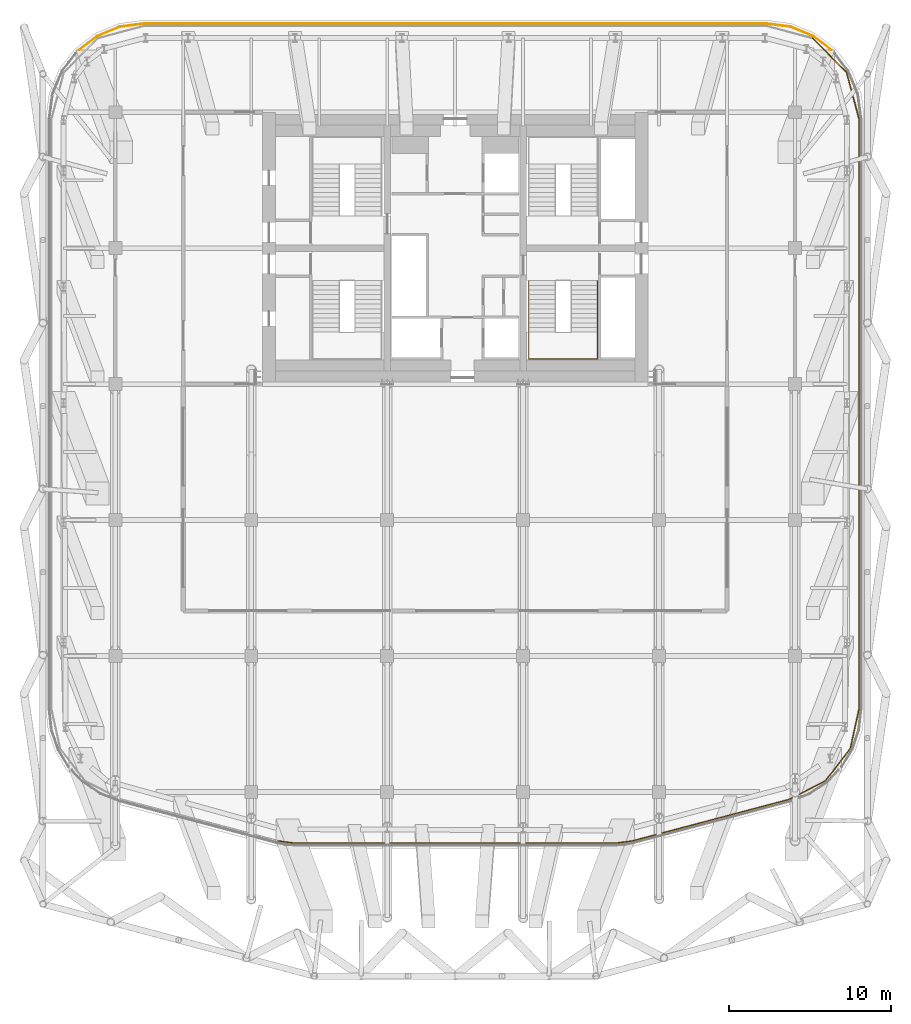
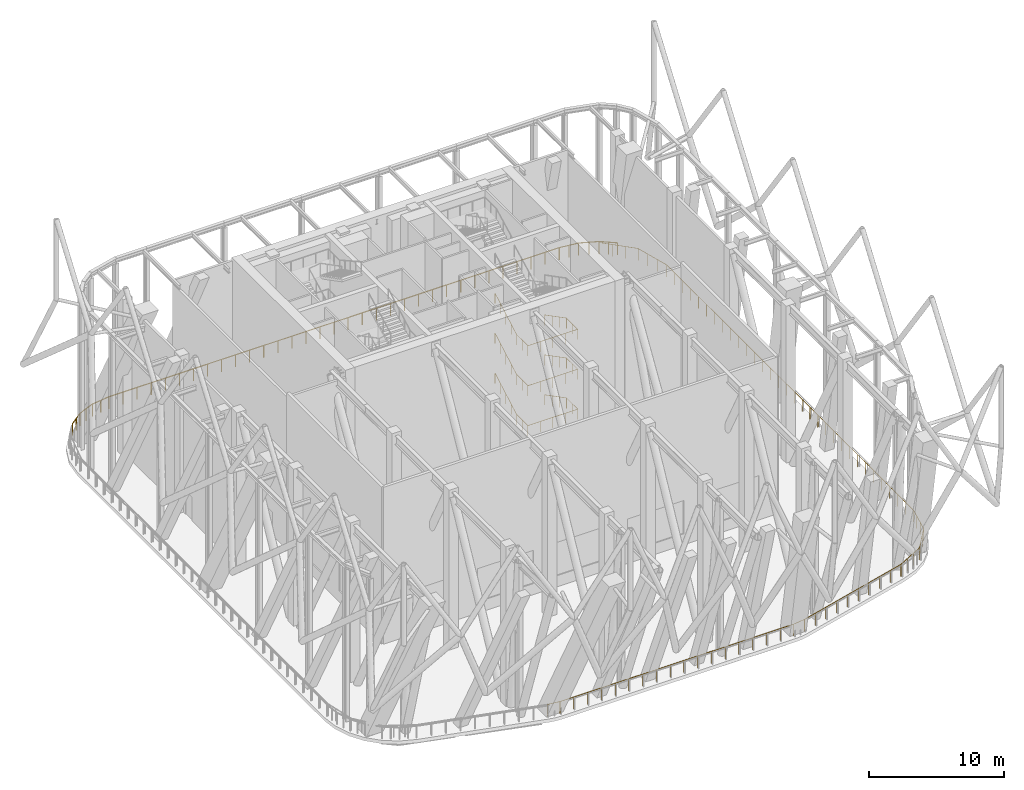
# One storey, part 18 of 20: 5 railings.
"""IFC4 building model written with IfcOpenShell, lengths in metres."""

from ifc_helpers import new_model, si_unit, direction, frame, origin, origin_2d, place, context, subcontext, project, spatial, circle, extrude, material, type_object, element, save


model = new_model("IFC4")

# Units and contexts
model_context = context("Model", 3, precision=1e-05, world=origin(), true_north=direction((0.0, 1.0)))
body_context = subcontext(model_context, "Body", "Model", "MODEL_VIEW")
ifc_project = project(units=[si_unit("LENGTHUNIT", "METRE"), si_unit("AREAUNIT", "SQUARE_METRE"), si_unit("VOLUMEUNIT", "CUBIC_METRE"), si_unit("PLANEANGLEUNIT", "RADIAN"), si_unit("MASSUNIT", "GRAM", prefix="KILO")], contexts=[model_context])

# Site, building, storey
site_placement = place(None, origin())
site = spatial("IfcSite", under=ifc_project, at=site_placement, CompositionType="ELEMENT")
building_placement = place(site_placement, origin())
building = spatial("IfcBuilding", under=site, at=building_placement, Name="Marenta Gate Hotel Tower", CompositionType="ELEMENT")
storey_placement = place(building_placement, frame((0.0, 0.0, 252.5)))
storey = spatial("IfcBuildingStorey", under=building, at=storey_placement, Name="L60", CompositionType="ELEMENT", Elevation=252.5)

# Railings
ifc_material_1 = material(Name="Stainless steel", Category="steel")
railing_type_1 = type_object("IfcRailingType", Name="Core stair handrail 950", PredefinedType="HANDRAIL", material=ifc_material_1)
railing_1_placement = place(storey_placement, frame((8.800048828125, 6.39990234375, 0.14990234375)))
element("IfcRailing", 1, at=railing_1_placement, inside=storey, type_object=railing_type_1, Name="HR-950 L60-KR-ST3-1", PredefinedType="HANDRAIL", context=body_context, shape_type="SweptSolid", body=[
    extrude(circle(Radius=0.02392578125, at=origin_2d()), frame((0.0, 0.0, 0.92578125), z_axis=(0.0, -0.888197555067, 0.459461753765), x_axis=(1.0, 0.0, 0.0)), (0.0, 0.0, 1.0), 3.591552734375),
    extrude(circle(Radius=0.02392578125, at=origin_2d()), frame((0.0, -3.18994140625, 2.576171875), z_axis=(0.0, -1.0, 0.0), x_axis=(1.0, 0.0, 0.0)), (0.0, 0.0, 1.0), 1.659912109375),
    extrude(circle(Radius=0.02392578125, at=origin_2d()), frame((0.0, -4.849853515625, 2.576171875), z_axis=(-1.0, 0.0, 0.0), x_axis=(0.0, -1.0, 0.0)), (0.0, 0.0, 1.0), 4.25),
    extrude(circle(Radius=0.02392578125, at=origin_2d()), frame((-4.25, -4.849853515625, 2.576171875), z_axis=(0.0, 1.0, 0.0), x_axis=(-1.0, 0.0, 0.0)), (0.0, 0.0, 1.0), 1.659912109375),
    extrude(circle(Radius=0.02392578125, at=origin_2d()), frame((-4.25, -3.18994140625, 2.576171875), z_axis=(0.0, 0.87090897868, 0.491444351738), x_axis=(-1.0, 0.0, 0.0)), (0.0, 0.0, 1.0), 3.662841796875),
    extrude(circle(Radius=0.02099609375, at=origin_2d()), origin(), (0.0, 0.0, 1.0), 0.90185546875),
    extrude(circle(Radius=0.02099609375, at=origin_2d()), frame((0.0, -1.063232421875, 0.550048828125)), (0.0, 0.0, 1.0), 0.90185546875),
    extrude(circle(Radius=0.02099609375, at=origin_2d()), frame((0.0, -2.126708984375, 1.10009765625)), (0.0, 0.0, 1.0), 0.90185546875),
    extrude(circle(Radius=0.02099609375, at=origin_2d()), frame((0.0, -3.18994140625, 1.650146484375)), (0.0, 0.0, 1.0), 0.90185546875),
    extrude(circle(Radius=0.02099609375, at=origin_2d()), frame((0.0, -4.02001953125, 1.650146484375)), (0.0, 0.0, 1.0), 0.90185546875),
    extrude(circle(Radius=0.02099609375, at=origin_2d()), frame((0.0, -4.849853515625, 1.650146484375)), (0.0, 0.0, 1.0), 0.90185546875),
    extrude(circle(Radius=0.02099609375, at=origin_2d()), frame((-1.0625, -4.849853515625, 1.650146484375)), (0.0, 0.0, 1.0), 0.90185546875),
    extrude(circle(Radius=0.02099609375, at=origin_2d()), frame((-2.125, -4.849853515625, 1.650146484375)), (0.0, 0.0, 1.0), 0.90185546875),
    extrude(circle(Radius=0.02099609375, at=origin_2d()), frame((-3.1875, -4.849853515625, 1.650146484375)), (0.0, 0.0, 1.0), 0.90185546875),
    extrude(circle(Radius=0.02099609375, at=origin_2d()), frame((-4.25, -4.849853515625, 1.650146484375)), (0.0, 0.0, 1.0), 0.90185546875),
    extrude(circle(Radius=0.02099609375, at=origin_2d()), frame((-4.25, -4.02001953125, 1.650146484375)), (0.0, 0.0, 1.0), 0.90185546875),
    extrude(circle(Radius=0.02099609375, at=origin_2d()), frame((-4.25, -3.18994140625, 1.650146484375)), (0.0, 0.0, 1.0), 0.90185546875),
    extrude(circle(Radius=0.02099609375, at=origin_2d()), frame((-4.25, -2.392578125, 2.10009765625)), (0.0, 0.0, 1.0), 0.90185546875),
    extrude(circle(Radius=0.02099609375, at=origin_2d()), frame((-4.25, -1.594970703125, 2.55029296875)), (0.0, 0.0, 1.0), 0.90185546875),
    extrude(circle(Radius=0.02099609375, at=origin_2d()), frame((-4.25, -0.79736328125, 3.000244140625)), (0.0, 0.0, 1.0), 0.90185546875),
    extrude(circle(Radius=0.02099609375, at=origin_2d()), frame((-4.25, 0.0, 3.4501953125)), (0.0, 0.0, 1.0), 0.90185546875),
])
railing_2_placement = place(storey_placement, frame((8.800048828125, 6.39990234375, 3.75)))
element("IfcRailing", 2, at=railing_2_placement, inside=storey, type_object=railing_type_1, Name="HR-950 L60-KR-ST3-3", PredefinedType="HANDRAIL", context=body_context, shape_type="SweptSolid", body=[
    extrude(circle(Radius=0.02392578125, at=origin_2d()), frame((0.0, 0.0, 0.92578125), z_axis=(0.0, -0.888225295554, 0.459408123936), x_axis=(1.0, 0.0, 0.0)), (0.0, 0.0, 1.0), 3.59130859375),
    extrude(circle(Radius=0.02392578125, at=origin_2d()), frame((0.0, -3.18994140625, 2.57568359375), z_axis=(0.0, -1.0, 0.0), x_axis=(1.0, 0.0, 0.0)), (0.0, 0.0, 1.0), 1.659912109375),
    extrude(circle(Radius=0.02392578125, at=origin_2d()), frame((0.0, -4.849853515625, 2.57568359375), z_axis=(-1.0, 0.0, 0.0), x_axis=(0.0, -1.0, 0.0)), (0.0, 0.0, 1.0), 4.25),
    extrude(circle(Radius=0.02392578125, at=origin_2d()), frame((-4.25, -4.849853515625, 2.57568359375), z_axis=(0.0, 1.0, 0.0), x_axis=(-1.0, 0.0, 0.0)), (0.0, 0.0, 1.0), 1.659912109375),
    extrude(circle(Radius=0.02392578125, at=origin_2d()), frame((-4.25, -3.18994140625, 2.57568359375), z_axis=(0.0, 0.87090897868, 0.491444351738), x_axis=(-1.0, 0.0, 0.0)), (0.0, 0.0, 1.0), 3.662841796875),
    extrude(circle(Radius=0.02099609375, at=origin_2d()), origin(), (0.0, 0.0, 1.0), 0.90185546875),
    extrude(circle(Radius=0.02099609375, at=origin_2d()), frame((0.0, -1.063232421875, 0.550048828125)), (0.0, 0.0, 1.0), 0.90185546875),
    extrude(circle(Radius=0.02099609375, at=origin_2d()), frame((0.0, -2.126708984375, 1.099853515625)), (0.0, 0.0, 1.0), 0.90185546875),
    extrude(circle(Radius=0.02099609375, at=origin_2d()), frame((0.0, -3.18994140625, 1.64990234375)), (0.0, 0.0, 1.0), 0.90185546875),
    extrude(circle(Radius=0.02099609375, at=origin_2d()), frame((0.0, -4.02001953125, 1.64990234375)), (0.0, 0.0, 1.0), 0.90185546875),
    extrude(circle(Radius=0.02099609375, at=origin_2d()), frame((0.0, -4.849853515625, 1.64990234375)), (0.0, 0.0, 1.0), 0.90185546875),
    extrude(circle(Radius=0.02099609375, at=origin_2d()), frame((-1.0625, -4.849853515625, 1.64990234375)), (0.0, 0.0, 1.0), 0.90185546875),
    extrude(circle(Radius=0.02099609375, at=origin_2d()), frame((-2.125, -4.849853515625, 1.64990234375)), (0.0, 0.0, 1.0), 0.90185546875),
    extrude(circle(Radius=0.02099609375, at=origin_2d()), frame((-3.1875, -4.849853515625, 1.64990234375)), (0.0, 0.0, 1.0), 0.90185546875),
    extrude(circle(Radius=0.02099609375, at=origin_2d()), frame((-4.25, -4.849853515625, 1.64990234375)), (0.0, 0.0, 1.0), 0.90185546875),
    extrude(circle(Radius=0.02099609375, at=origin_2d()), frame((-4.25, -4.02001953125, 1.64990234375)), (0.0, 0.0, 1.0), 0.90185546875),
    extrude(circle(Radius=0.02099609375, at=origin_2d()), frame((-4.25, -3.18994140625, 1.64990234375)), (0.0, 0.0, 1.0), 0.90185546875),
    extrude(circle(Radius=0.02099609375, at=origin_2d()), frame((-4.25, -2.392578125, 2.099853515625)), (0.0, 0.0, 1.0), 0.90185546875),
    extrude(circle(Radius=0.02099609375, at=origin_2d()), frame((-4.25, -1.594970703125, 2.5498046875)), (0.0, 0.0, 1.0), 0.90185546875),
    extrude(circle(Radius=0.02099609375, at=origin_2d()), frame((-4.25, -0.79736328125, 3.0)), (0.0, 0.0, 1.0), 0.90185546875),
    extrude(circle(Radius=0.02099609375, at=origin_2d()), frame((-4.25, 0.0, 3.449951171875)), (0.0, 0.0, 1.0), 0.90185546875),
])
railing_3_placement = place(storey_placement, frame((8.800048828125, 6.39990234375, 7.35009765625)))
element("IfcRailing", 3, at=railing_3_placement, inside=storey, type_object=railing_type_1, Name="HR-950 L60-KR-ST3-5", PredefinedType="HANDRAIL", context=body_context, shape_type="SweptSolid", body=[
    extrude(circle(Radius=0.02392578125, at=origin_2d()), frame((0.0, 0.0, 0.92578125), z_axis=(0.0, -0.888225295554, 0.459408123936), x_axis=(1.0, 0.0, 0.0)), (0.0, 0.0, 1.0), 3.59130859375),
    extrude(circle(Radius=0.02392578125, at=origin_2d()), frame((0.0, -3.18994140625, 2.57568359375), z_axis=(0.0, -1.0, 0.0), x_axis=(1.0, 0.0, 0.0)), (0.0, 0.0, 1.0), 1.659912109375),
    extrude(circle(Radius=0.02392578125, at=origin_2d()), frame((0.0, -4.849853515625, 2.57568359375), z_axis=(-1.0, 0.0, 0.0), x_axis=(0.0, -1.0, 0.0)), (0.0, 0.0, 1.0), 4.25),
    extrude(circle(Radius=0.02392578125, at=origin_2d()), frame((-4.25, -4.849853515625, 2.57568359375), z_axis=(0.0, 1.0, 0.0), x_axis=(-1.0, 0.0, 0.0)), (0.0, 0.0, 1.0), 1.659912109375),
    extrude(circle(Radius=0.02392578125, at=origin_2d()), frame((-4.25, -3.18994140625, 2.57568359375), z_axis=(0.0, 0.87090897868, 0.491444351738), x_axis=(-1.0, 0.0, 0.0)), (0.0, 0.0, 1.0), 3.662841796875),
    extrude(circle(Radius=0.02099609375, at=origin_2d()), origin(), (0.0, 0.0, 1.0), 0.90185546875),
    extrude(circle(Radius=0.02099609375, at=origin_2d()), frame((0.0, -1.063232421875, 0.550048828125)), (0.0, 0.0, 1.0), 0.90185546875),
    extrude(circle(Radius=0.02099609375, at=origin_2d()), frame((0.0, -2.126708984375, 1.099853515625)), (0.0, 0.0, 1.0), 0.90185546875),
    extrude(circle(Radius=0.02099609375, at=origin_2d()), frame((0.0, -3.18994140625, 1.64990234375)), (0.0, 0.0, 1.0), 0.90185546875),
    extrude(circle(Radius=0.02099609375, at=origin_2d()), frame((0.0, -4.02001953125, 1.64990234375)), (0.0, 0.0, 1.0), 0.90185546875),
    extrude(circle(Radius=0.02099609375, at=origin_2d()), frame((0.0, -4.849853515625, 1.64990234375)), (0.0, 0.0, 1.0), 0.90185546875),
    extrude(circle(Radius=0.02099609375, at=origin_2d()), frame((-1.0625, -4.849853515625, 1.64990234375)), (0.0, 0.0, 1.0), 0.90185546875),
    extrude(circle(Radius=0.02099609375, at=origin_2d()), frame((-2.125, -4.849853515625, 1.64990234375)), (0.0, 0.0, 1.0), 0.90185546875),
    extrude(circle(Radius=0.02099609375, at=origin_2d()), frame((-3.1875, -4.849853515625, 1.64990234375)), (0.0, 0.0, 1.0), 0.90185546875),
    extrude(circle(Radius=0.02099609375, at=origin_2d()), frame((-4.25, -4.849853515625, 1.64990234375)), (0.0, 0.0, 1.0), 0.90185546875),
    extrude(circle(Radius=0.02099609375, at=origin_2d()), frame((-4.25, -4.02001953125, 1.64990234375)), (0.0, 0.0, 1.0), 0.90185546875),
    extrude(circle(Radius=0.02099609375, at=origin_2d()), frame((-4.25, -3.18994140625, 1.64990234375)), (0.0, 0.0, 1.0), 0.90185546875),
    extrude(circle(Radius=0.02099609375, at=origin_2d()), frame((-4.25, -2.392578125, 2.099853515625)), (0.0, 0.0, 1.0), 0.90185546875),
    extrude(circle(Radius=0.02099609375, at=origin_2d()), frame((-4.25, -1.594970703125, 2.5498046875)), (0.0, 0.0, 1.0), 0.90185546875),
    extrude(circle(Radius=0.02099609375, at=origin_2d()), frame((-4.25, -0.79736328125, 3.0)), (0.0, 0.0, 1.0), 0.90185546875),
    extrude(circle(Radius=0.02099609375, at=origin_2d()), frame((-4.25, 0.0, 3.449951171875)), (0.0, 0.0, 1.0), 0.90185546875),
])
ifc_material_2 = material(Name="Stainless steel", Category="steel")
railing_type_2 = type_object("IfcRailingType", Name="Guard 1100 stainless balustrade", PredefinedType="GUARDRAIL", material=ifc_material_2)
railing_4_placement = place(storey_placement, frame((-23.228759765625, 20.655517578125, 0.0)))
element("IfcRailing", 4, at=railing_4_placement, inside=storey, type_object=railing_type_2, Name="Guard", PredefinedType="GUARDRAIL", context=body_context, shape_type="SweptSolid", body=[
    extrude(circle(Radius=0.02392578125, at=origin_2d()), frame((0.0, 0.0, 1.076171875), z_axis=(0.793337284051, 0.608782353337, 0.0), x_axis=(-0.608782353337, 0.793337284051, 0.0)), (0.0, 0.0, 1.0), 1.373046875),
    extrude(circle(Radius=0.02392578125, at=origin_2d()), frame((1.08935546875, 0.8359375, 1.076171875), z_axis=(0.923898552901, 0.382637509855, 0.0), x_axis=(-0.382637509855, 0.923898552901, 0.0)), (0.0, 0.0, 1.0), 1.534423828125),
    extrude(circle(Radius=0.02392578125, at=origin_2d()), frame((2.507080078125, 1.423095703125, 1.076171875), z_axis=(0.991440824405, 0.130556852376, 0.0), x_axis=(-0.130556852376, 0.991440824405, 0.0)), (0.0, 0.0, 1.0), 1.542724609375),
    extrude(circle(Radius=0.02392578125, at=origin_2d()), frame((4.03662109375, 1.62451171875, 1.076171875), z_axis=(1.0, 0.0, 0.0), x_axis=(0.0, 1.0, 0.0)), (0.0, 0.0, 1.0), 38.38427734375),
    extrude(circle(Radius=0.02392578125, at=origin_2d()), frame((42.4208984375, 1.62451171875, 1.076171875), z_axis=(0.991440824405, -0.130556852376, 0.0), x_axis=(0.130556852376, 0.991440824405, 0.0)), (0.0, 0.0, 1.0), 1.542724609375),
    extrude(circle(Radius=0.02392578125, at=origin_2d()), frame((43.950439453125, 1.423095703125, 1.076171875), z_axis=(0.923898552901, -0.382637509855, 0.0), x_axis=(0.382637509855, 0.923898552901, 0.0)), (0.0, 0.0, 1.0), 1.534423828125),
    extrude(circle(Radius=0.02392578125, at=origin_2d()), frame((45.3681640625, 0.8359375, 1.076171875), z_axis=(0.793337284051, -0.608782353337, 0.0), x_axis=(0.608782353337, 0.793337284051, 0.0)), (0.0, 0.0, 1.0), 1.373046875),
    extrude(circle(Radius=0.02099609375, at=origin_2d()), origin(), (0.0, 0.0, 1.0), 1.052001953125),
    extrude(circle(Radius=0.02099609375, at=origin_2d()), frame((0.544677734375, 0.41796875, 0.0)), (0.0, 0.0, 1.0), 1.052001953125),
    extrude(circle(Radius=0.02099609375, at=origin_2d()), frame((1.08935546875, 0.8359375, 0.0)), (0.0, 0.0, 1.0), 1.052001953125),
    extrude(circle(Radius=0.02099609375, at=origin_2d()), frame((1.79833984375, 1.12939453125, 0.0)), (0.0, 0.0, 1.0), 1.052001953125),
    extrude(circle(Radius=0.02099609375, at=origin_2d()), frame((2.507080078125, 1.423095703125, 0.0)), (0.0, 0.0, 1.0), 1.052001953125),
    extrude(circle(Radius=0.02099609375, at=origin_2d()), frame((3.27197265625, 1.52392578125, 0.0)), (0.0, 0.0, 1.0), 1.052001953125),
    extrude(circle(Radius=0.02099609375, at=origin_2d()), frame((4.03662109375, 1.62451171875, 0.0)), (0.0, 0.0, 1.0), 1.052001953125),
    extrude(circle(Radius=0.02099609375, at=origin_2d()), frame((5.236083984375, 1.62451171875, 0.0)), (0.0, 0.0, 1.0), 1.052001953125),
    extrude(circle(Radius=0.02099609375, at=origin_2d()), frame((6.435546875, 1.62451171875, 0.0)), (0.0, 0.0, 1.0), 1.052001953125),
    extrude(circle(Radius=0.02099609375, at=origin_2d()), frame((7.63525390625, 1.62451171875, 0.0)), (0.0, 0.0, 1.0), 1.052001953125),
    extrude(circle(Radius=0.02099609375, at=origin_2d()), frame((8.834716796875, 1.62451171875, 0.0)), (0.0, 0.0, 1.0), 1.052001953125),
    extrude(circle(Radius=0.02099609375, at=origin_2d()), frame((10.0341796875, 1.62451171875, 0.0)), (0.0, 0.0, 1.0), 1.052001953125),
    extrude(circle(Radius=0.02099609375, at=origin_2d()), frame((11.233642578125, 1.62451171875, 0.0)), (0.0, 0.0, 1.0), 1.052001953125),
    extrude(circle(Radius=0.02099609375, at=origin_2d()), frame((12.43310546875, 1.62451171875, 0.0)), (0.0, 0.0, 1.0), 1.052001953125),
    extrude(circle(Radius=0.02099609375, at=origin_2d()), frame((13.6328125, 1.62451171875, 0.0)), (0.0, 0.0, 1.0), 1.052001953125),
    extrude(circle(Radius=0.02099609375, at=origin_2d()), frame((14.832275390625, 1.62451171875, 0.0)), (0.0, 0.0, 1.0), 1.052001953125),
    extrude(circle(Radius=0.02099609375, at=origin_2d()), frame((16.03173828125, 1.62451171875, 0.0)), (0.0, 0.0, 1.0), 1.052001953125),
    extrude(circle(Radius=0.02099609375, at=origin_2d()), frame((17.231201171875, 1.62451171875, 0.0)), (0.0, 0.0, 1.0), 1.052001953125),
    extrude(circle(Radius=0.02099609375, at=origin_2d()), frame((18.4306640625, 1.62451171875, 0.0)), (0.0, 0.0, 1.0), 1.052001953125),
    extrude(circle(Radius=0.02099609375, at=origin_2d()), frame((19.630126953125, 1.62451171875, 0.0)), (0.0, 0.0, 1.0), 1.052001953125),
    extrude(circle(Radius=0.02099609375, at=origin_2d()), frame((20.829833984375, 1.62451171875, 0.0)), (0.0, 0.0, 1.0), 1.052001953125),
    extrude(circle(Radius=0.02099609375, at=origin_2d()), frame((22.029296875, 1.62451171875, 0.0)), (0.0, 0.0, 1.0), 1.052001953125),
    extrude(circle(Radius=0.02099609375, at=origin_2d()), frame((23.228759765625, 1.62451171875, 0.0)), (0.0, 0.0, 1.0), 1.052001953125),
    extrude(circle(Radius=0.02099609375, at=origin_2d()), frame((24.42822265625, 1.62451171875, 0.0)), (0.0, 0.0, 1.0), 1.052001953125),
    extrude(circle(Radius=0.02099609375, at=origin_2d()), frame((25.627685546875, 1.62451171875, 0.0)), (0.0, 0.0, 1.0), 1.052001953125),
    extrude(circle(Radius=0.02099609375, at=origin_2d()), frame((26.827392578125, 1.62451171875, 0.0)), (0.0, 0.0, 1.0), 1.052001953125),
    extrude(circle(Radius=0.02099609375, at=origin_2d()), frame((28.02685546875, 1.62451171875, 0.0)), (0.0, 0.0, 1.0), 1.052001953125),
    extrude(circle(Radius=0.02099609375, at=origin_2d()), frame((29.226318359375, 1.62451171875, 0.0)), (0.0, 0.0, 1.0), 1.052001953125),
    extrude(circle(Radius=0.02099609375, at=origin_2d()), frame((30.42578125, 1.62451171875, 0.0)), (0.0, 0.0, 1.0), 1.052001953125),
    extrude(circle(Radius=0.02099609375, at=origin_2d()), frame((31.625244140625, 1.62451171875, 0.0)), (0.0, 0.0, 1.0), 1.052001953125),
    extrude(circle(Radius=0.02099609375, at=origin_2d()), frame((32.82470703125, 1.62451171875, 0.0)), (0.0, 0.0, 1.0), 1.052001953125),
    extrude(circle(Radius=0.02099609375, at=origin_2d()), frame((34.0244140625, 1.62451171875, 0.0)), (0.0, 0.0, 1.0), 1.052001953125),
    extrude(circle(Radius=0.02099609375, at=origin_2d()), frame((35.223876953125, 1.62451171875, 0.0)), (0.0, 0.0, 1.0), 1.052001953125),
    extrude(circle(Radius=0.02099609375, at=origin_2d()), frame((36.42333984375, 1.62451171875, 0.0)), (0.0, 0.0, 1.0), 1.052001953125),
    extrude(circle(Radius=0.02099609375, at=origin_2d()), frame((37.622802734375, 1.62451171875, 0.0)), (0.0, 0.0, 1.0), 1.052001953125),
    extrude(circle(Radius=0.02099609375, at=origin_2d()), frame((38.822265625, 1.62451171875, 0.0)), (0.0, 0.0, 1.0), 1.052001953125),
    extrude(circle(Radius=0.02099609375, at=origin_2d()), frame((40.02197265625, 1.62451171875, 0.0)), (0.0, 0.0, 1.0), 1.052001953125),
    extrude(circle(Radius=0.02099609375, at=origin_2d()), frame((41.221435546875, 1.62451171875, 0.0)), (0.0, 0.0, 1.0), 1.052001953125),
    extrude(circle(Radius=0.02099609375, at=origin_2d()), frame((42.4208984375, 1.62451171875, 0.0)), (0.0, 0.0, 1.0), 1.052001953125),
    extrude(circle(Radius=0.02099609375, at=origin_2d()), frame((43.185546875, 1.52392578125, 0.0)), (0.0, 0.0, 1.0), 1.052001953125),
    extrude(circle(Radius=0.02099609375, at=origin_2d()), frame((43.950439453125, 1.423095703125, 0.0)), (0.0, 0.0, 1.0), 1.052001953125),
    extrude(circle(Radius=0.02099609375, at=origin_2d()), frame((44.6591796875, 1.12939453125, 0.0)), (0.0, 0.0, 1.0), 1.052001953125),
    extrude(circle(Radius=0.02099609375, at=origin_2d()), frame((45.3681640625, 0.8359375, 0.0)), (0.0, 0.0, 1.0), 1.052001953125),
    extrude(circle(Radius=0.02099609375, at=origin_2d()), frame((45.912841796875, 0.41796875, 0.0)), (0.0, 0.0, 1.0), 1.052001953125),
    extrude(circle(Radius=0.02099609375, at=origin_2d()), frame((46.45751953125, 0.0, 0.0)), (0.0, 0.0, 1.0), 1.052001953125),
])
railing_5_placement = place(storey_placement, frame((-10.94775390625, -28.222412109375, 0.0)))
element("IfcRailing", 5, at=railing_5_placement, inside=storey, type_object=railing_type_2, Name="Guard", PredefinedType="GUARDRAIL", context=body_context, shape_type="SweptSolid", body=[
    extrude(circle(Radius=0.02392578125, at=origin_2d()), frame((0.0, 0.0, 1.076171875), z_axis=(0.991576919061, -0.129519163004, 0.0), x_axis=(0.129519163004, 0.991576919061, 0.0)), (0.0, 0.0, 1.0), 0.98583984375),
    extrude(circle(Radius=0.02392578125, at=origin_2d()), frame((0.9775390625, -0.127685546875, 1.076171875), z_axis=(1.0, 0.0, 0.0), x_axis=(0.0, 1.0, 0.0)), (0.0, 0.0, 1.0), 19.9404296875),
    extrude(circle(Radius=0.02392578125, at=origin_2d()), frame((20.91796875, -0.127685546875, 1.076171875), z_axis=(0.991576919061, 0.129519163004, 0.0), x_axis=(-0.129519163004, 0.991576919061, 0.0)), (0.0, 0.0, 1.0), 0.98583984375),
    extrude(circle(Radius=0.02392578125, at=origin_2d()), frame((21.8955078125, 0.0, 1.076171875), z_axis=(0.966565981595, 0.256418024373, 0.0), x_axis=(-0.256418024373, 0.966565981595, 0.0)), (0.0, 0.0, 1.0), 10.049560546875),
    extrude(circle(Radius=0.02392578125, at=origin_2d()), frame((31.609130859375, 2.576904296875, 1.076171875), z_axis=(0.888227236115, 0.459404372012, 0.0), x_axis=(-0.459404372012, 0.888227236115, 0.0)), (0.0, 0.0, 1.0), 2.5068359375),
    extrude(circle(Radius=0.02392578125, at=origin_2d()), frame((33.835693359375, 3.728515625, 1.076171875), z_axis=(0.609701295622, 0.792631269959, 0.0), x_axis=(-0.792631269959, 0.609701295622, 0.0)), (0.0, 0.0, 1.0), 2.4931640625),
    extrude(circle(Radius=0.02392578125, at=origin_2d()), frame((35.355712890625, 5.70458984375, 1.076171875), z_axis=(0.216229118215, 0.976342649092, 0.0), x_axis=(-0.976342649092, 0.216229118215, 0.0)), (0.0, 0.0, 1.0), 2.506591796875),
    extrude(circle(Radius=0.02392578125, at=origin_2d()), frame((35.897705078125, 8.15185546875, 1.076171875), z_axis=(0.0, 1.0, 0.0), x_axis=(-1.0, 0.0, 0.0)), (0.0, 0.0, 1.0), 36.4541015625),
    extrude(circle(Radius=0.02392578125, at=origin_2d()), frame((35.897705078125, 44.60595703125, 1.076171875), z_axis=(-0.258114663239, 0.966114289627, 0.0), x_axis=(-0.966114289627, -0.258114663239, 0.0)), (0.0, 0.0, 1.0), 2.99169921875),
    extrude(circle(Radius=0.02392578125, at=origin_2d()), frame((35.12548828125, 47.496337890625, 1.076171875), z_axis=(-0.707106781187, 0.707106781187, 0.0), x_axis=(-0.707106781187, -0.707106781187, 0.0)), (0.0, 0.0, 1.0), 2.97509765625),
    extrude(circle(Radius=0.02099609375, at=origin_2d()), origin(), (0.0, 0.0, 1.0), 1.052001953125),
    extrude(circle(Radius=0.02099609375, at=origin_2d()), frame((0.9775390625, -0.127685546875, 0.0)), (0.0, 0.0, 1.0), 1.052001953125),
    extrude(circle(Radius=0.02099609375, at=origin_2d()), frame((2.150390625, -0.127685546875, 0.0)), (0.0, 0.0, 1.0), 1.052001953125),
    extrude(circle(Radius=0.02099609375, at=origin_2d()), frame((3.323486328125, -0.127685546875, 0.0)), (0.0, 0.0, 1.0), 1.052001953125),
    extrude(circle(Radius=0.02099609375, at=origin_2d()), frame((4.496337890625, -0.127685546875, 0.0)), (0.0, 0.0, 1.0), 1.052001953125),
    extrude(circle(Radius=0.02099609375, at=origin_2d()), frame((5.66943359375, -0.127685546875, 0.0)), (0.0, 0.0, 1.0), 1.052001953125),
    extrude(circle(Radius=0.02099609375, at=origin_2d()), frame((6.84228515625, -0.127685546875, 0.0)), (0.0, 0.0, 1.0), 1.052001953125),
    extrude(circle(Radius=0.02099609375, at=origin_2d()), frame((8.015380859375, -0.127685546875, 0.0)), (0.0, 0.0, 1.0), 1.052001953125),
    extrude(circle(Radius=0.02099609375, at=origin_2d()), frame((9.188232421875, -0.127685546875, 0.0)), (0.0, 0.0, 1.0), 1.052001953125),
    extrude(circle(Radius=0.02099609375, at=origin_2d()), frame((10.361328125, -0.127685546875, 0.0)), (0.0, 0.0, 1.0), 1.052001953125),
    extrude(circle(Radius=0.02099609375, at=origin_2d()), frame((11.5341796875, -0.127685546875, 0.0)), (0.0, 0.0, 1.0), 1.052001953125),
    extrude(circle(Radius=0.02099609375, at=origin_2d()), frame((12.707275390625, -0.127685546875, 0.0)), (0.0, 0.0, 1.0), 1.052001953125),
    extrude(circle(Radius=0.02099609375, at=origin_2d()), frame((13.880126953125, -0.127685546875, 0.0)), (0.0, 0.0, 1.0), 1.052001953125),
    extrude(circle(Radius=0.02099609375, at=origin_2d()), frame((15.05322265625, -0.127685546875, 0.0)), (0.0, 0.0, 1.0), 1.052001953125),
    extrude(circle(Radius=0.02099609375, at=origin_2d()), frame((16.22607421875, -0.127685546875, 0.0)), (0.0, 0.0, 1.0), 1.052001953125),
    extrude(circle(Radius=0.02099609375, at=origin_2d()), frame((17.399169921875, -0.127685546875, 0.0)), (0.0, 0.0, 1.0), 1.052001953125),
    extrude(circle(Radius=0.02099609375, at=origin_2d()), frame((18.572021484375, -0.127685546875, 0.0)), (0.0, 0.0, 1.0), 1.052001953125),
    extrude(circle(Radius=0.02099609375, at=origin_2d()), frame((19.7451171875, -0.127685546875, 0.0)), (0.0, 0.0, 1.0), 1.052001953125),
    extrude(circle(Radius=0.02099609375, at=origin_2d()), frame((20.91796875, -0.127685546875, 0.0)), (0.0, 0.0, 1.0), 1.052001953125),
    extrude(circle(Radius=0.02099609375, at=origin_2d()), frame((21.8955078125, 0.0, 0.0)), (0.0, 0.0, 1.0), 1.052001953125),
    extrude(circle(Radius=0.02099609375, at=origin_2d()), frame((22.974853515625, 0.286376953125, 0.0)), (0.0, 0.0, 1.0), 1.052001953125),
    extrude(circle(Radius=0.02099609375, at=origin_2d()), frame((24.05419921875, 0.57275390625, 0.0)), (0.0, 0.0, 1.0), 1.052001953125),
    extrude(circle(Radius=0.02099609375, at=origin_2d()), frame((25.13330078125, 0.85888671875, 0.0)), (0.0, 0.0, 1.0), 1.052001953125),
    extrude(circle(Radius=0.02099609375, at=origin_2d()), frame((26.212646484375, 1.145263671875, 0.0)), (0.0, 0.0, 1.0), 1.052001953125),
    extrude(circle(Radius=0.02099609375, at=origin_2d()), frame((27.2919921875, 1.431640625, 0.0)), (0.0, 0.0, 1.0), 1.052001953125),
    extrude(circle(Radius=0.02099609375, at=origin_2d()), frame((28.371337890625, 1.718017578125, 0.0)), (0.0, 0.0, 1.0), 1.052001953125),
    extrude(circle(Radius=0.02099609375, at=origin_2d()), frame((29.450439453125, 2.004150390625, 0.0)), (0.0, 0.0, 1.0), 1.052001953125),
    extrude(circle(Radius=0.02099609375, at=origin_2d()), frame((30.52978515625, 2.29052734375, 0.0)), (0.0, 0.0, 1.0), 1.052001953125),
    extrude(circle(Radius=0.02099609375, at=origin_2d()), frame((31.609130859375, 2.576904296875, 0.0)), (0.0, 0.0, 1.0), 1.052001953125),
    extrude(circle(Radius=0.02099609375, at=origin_2d()), frame((32.351318359375, 2.960693359375, 0.0)), (0.0, 0.0, 1.0), 1.052001953125),
    extrude(circle(Radius=0.02099609375, at=origin_2d()), frame((33.093505859375, 3.3447265625, 0.0)), (0.0, 0.0, 1.0), 1.052001953125),
    extrude(circle(Radius=0.02099609375, at=origin_2d()), frame((33.835693359375, 3.728515625, 0.0)), (0.0, 0.0, 1.0), 1.052001953125),
    extrude(circle(Radius=0.02099609375, at=origin_2d()), frame((34.34228515625, 4.38720703125, 0.0)), (0.0, 0.0, 1.0), 1.052001953125),
    extrude(circle(Radius=0.02099609375, at=origin_2d()), frame((34.84912109375, 5.0458984375, 0.0)), (0.0, 0.0, 1.0), 1.052001953125),
    extrude(circle(Radius=0.02099609375, at=origin_2d()), frame((35.355712890625, 5.70458984375, 0.0)), (0.0, 0.0, 1.0), 1.052001953125),
    extrude(circle(Radius=0.02099609375, at=origin_2d()), frame((35.536376953125, 6.520263671875, 0.0)), (0.0, 0.0, 1.0), 1.052001953125),
    extrude(circle(Radius=0.02099609375, at=origin_2d()), frame((35.717041015625, 7.336181640625, 0.0)), (0.0, 0.0, 1.0), 1.052001953125),
    extrude(circle(Radius=0.02099609375, at=origin_2d()), frame((35.897705078125, 8.15185546875, 0.0)), (0.0, 0.0, 1.0), 1.052001953125),
    extrude(circle(Radius=0.02099609375, at=origin_2d()), frame((35.897705078125, 9.327880859375, 0.0)), (0.0, 0.0, 1.0), 1.052001953125),
    extrude(circle(Radius=0.02099609375, at=origin_2d()), frame((35.897705078125, 10.503662109375, 0.0)), (0.0, 0.0, 1.0), 1.052001953125),
    extrude(circle(Radius=0.02099609375, at=origin_2d()), frame((35.897705078125, 11.6796875, 0.0)), (0.0, 0.0, 1.0), 1.052001953125),
    extrude(circle(Radius=0.02099609375, at=origin_2d()), frame((35.897705078125, 12.855712890625, 0.0)), (0.0, 0.0, 1.0), 1.052001953125),
    extrude(circle(Radius=0.02099609375, at=origin_2d()), frame((35.897705078125, 14.031494140625, 0.0)), (0.0, 0.0, 1.0), 1.052001953125),
    extrude(circle(Radius=0.02099609375, at=origin_2d()), frame((35.897705078125, 15.20751953125, 0.0)), (0.0, 0.0, 1.0), 1.052001953125),
    extrude(circle(Radius=0.02099609375, at=origin_2d()), frame((35.897705078125, 16.383544921875, 0.0)), (0.0, 0.0, 1.0), 1.052001953125),
    extrude(circle(Radius=0.02099609375, at=origin_2d()), frame((35.897705078125, 17.559326171875, 0.0)), (0.0, 0.0, 1.0), 1.052001953125),
    extrude(circle(Radius=0.02099609375, at=origin_2d()), frame((35.897705078125, 18.7353515625, 0.0)), (0.0, 0.0, 1.0), 1.052001953125),
    extrude(circle(Radius=0.02099609375, at=origin_2d()), frame((35.897705078125, 19.9111328125, 0.0)), (0.0, 0.0, 1.0), 1.052001953125),
    extrude(circle(Radius=0.02099609375, at=origin_2d()), frame((35.897705078125, 21.087158203125, 0.0)), (0.0, 0.0, 1.0), 1.052001953125),
    extrude(circle(Radius=0.02099609375, at=origin_2d()), frame((35.897705078125, 22.26318359375, 0.0)), (0.0, 0.0, 1.0), 1.052001953125),
    extrude(circle(Radius=0.02099609375, at=origin_2d()), frame((35.897705078125, 23.43896484375, 0.0)), (0.0, 0.0, 1.0), 1.052001953125),
    extrude(circle(Radius=0.02099609375, at=origin_2d()), frame((35.897705078125, 24.614990234375, 0.0)), (0.0, 0.0, 1.0), 1.052001953125),
    extrude(circle(Radius=0.02099609375, at=origin_2d()), frame((35.897705078125, 25.791015625, 0.0)), (0.0, 0.0, 1.0), 1.052001953125),
    extrude(circle(Radius=0.02099609375, at=origin_2d()), frame((35.897705078125, 26.966796875, 0.0)), (0.0, 0.0, 1.0), 1.052001953125),
    extrude(circle(Radius=0.02099609375, at=origin_2d()), frame((35.897705078125, 28.142822265625, 0.0)), (0.0, 0.0, 1.0), 1.052001953125),
    extrude(circle(Radius=0.02099609375, at=origin_2d()), frame((35.897705078125, 29.31884765625, 0.0)), (0.0, 0.0, 1.0), 1.052001953125),
    extrude(circle(Radius=0.02099609375, at=origin_2d()), frame((35.897705078125, 30.49462890625, 0.0)), (0.0, 0.0, 1.0), 1.052001953125),
    extrude(circle(Radius=0.02099609375, at=origin_2d()), frame((35.897705078125, 31.670654296875, 0.0)), (0.0, 0.0, 1.0), 1.052001953125),
    extrude(circle(Radius=0.02099609375, at=origin_2d()), frame((35.897705078125, 32.8466796875, 0.0)), (0.0, 0.0, 1.0), 1.052001953125),
    extrude(circle(Radius=0.02099609375, at=origin_2d()), frame((35.897705078125, 34.0224609375, 0.0)), (0.0, 0.0, 1.0), 1.052001953125),
    extrude(circle(Radius=0.02099609375, at=origin_2d()), frame((35.897705078125, 35.198486328125, 0.0)), (0.0, 0.0, 1.0), 1.052001953125),
    extrude(circle(Radius=0.02099609375, at=origin_2d()), frame((35.897705078125, 36.374267578125, 0.0)), (0.0, 0.0, 1.0), 1.052001953125),
    extrude(circle(Radius=0.02099609375, at=origin_2d()), frame((35.897705078125, 37.55029296875, 0.0)), (0.0, 0.0, 1.0), 1.052001953125),
    extrude(circle(Radius=0.02099609375, at=origin_2d()), frame((35.897705078125, 38.726318359375, 0.0)), (0.0, 0.0, 1.0), 1.052001953125),
    extrude(circle(Radius=0.02099609375, at=origin_2d()), frame((35.897705078125, 39.902099609375, 0.0)), (0.0, 0.0, 1.0), 1.052001953125),
    extrude(circle(Radius=0.02099609375, at=origin_2d()), frame((35.897705078125, 41.078125, 0.0)), (0.0, 0.0, 1.0), 1.052001953125),
    extrude(circle(Radius=0.02099609375, at=origin_2d()), frame((35.897705078125, 42.254150390625, 0.0)), (0.0, 0.0, 1.0), 1.052001953125),
    extrude(circle(Radius=0.02099609375, at=origin_2d()), frame((35.897705078125, 43.429931640625, 0.0)), (0.0, 0.0, 1.0), 1.052001953125),
    extrude(circle(Radius=0.02099609375, at=origin_2d()), frame((35.897705078125, 44.60595703125, 0.0)), (0.0, 0.0, 1.0), 1.052001953125),
    extrude(circle(Radius=0.02099609375, at=origin_2d()), frame((35.640380859375, 45.5693359375, 0.0)), (0.0, 0.0, 1.0), 1.052001953125),
    extrude(circle(Radius=0.02099609375, at=origin_2d()), frame((35.3828125, 46.532958984375, 0.0)), (0.0, 0.0, 1.0), 1.052001953125),
    extrude(circle(Radius=0.02099609375, at=origin_2d()), frame((35.12548828125, 47.496337890625, 0.0)), (0.0, 0.0, 1.0), 1.052001953125),
    extrude(circle(Radius=0.02099609375, at=origin_2d()), frame((34.42431640625, 48.197509765625, 0.0)), (0.0, 0.0, 1.0), 1.052001953125),
    extrude(circle(Radius=0.02099609375, at=origin_2d()), frame((33.722900390625, 48.89892578125, 0.0)), (0.0, 0.0, 1.0), 1.052001953125),
    extrude(circle(Radius=0.02099609375, at=origin_2d()), frame((33.021728515625, 49.60009765625, 0.0)), (0.0, 0.0, 1.0), 1.052001953125),
])

save(model, "model.ifc")
